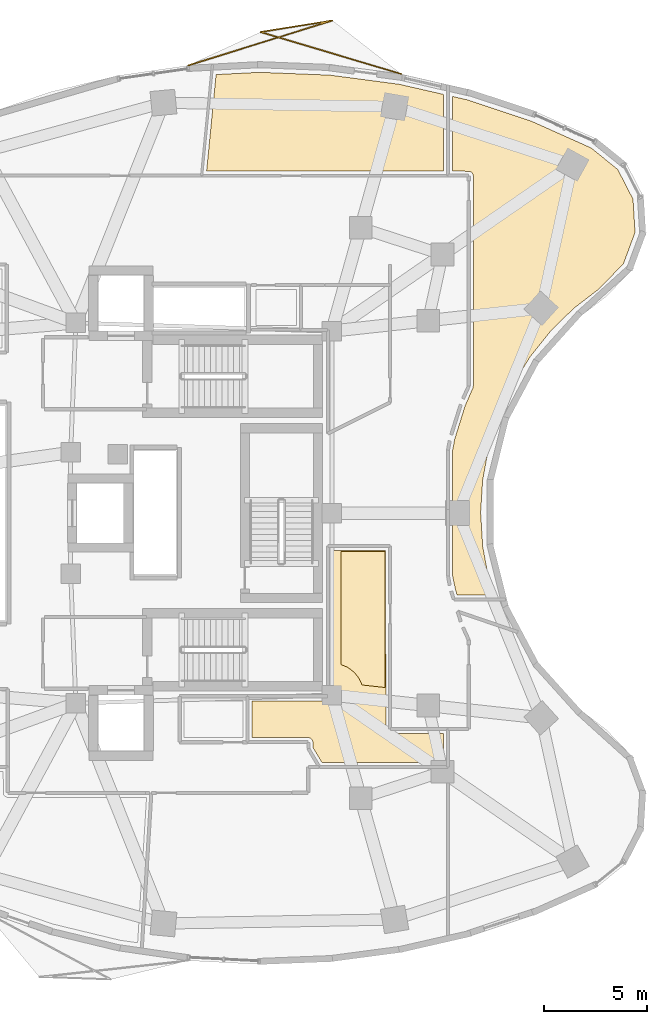
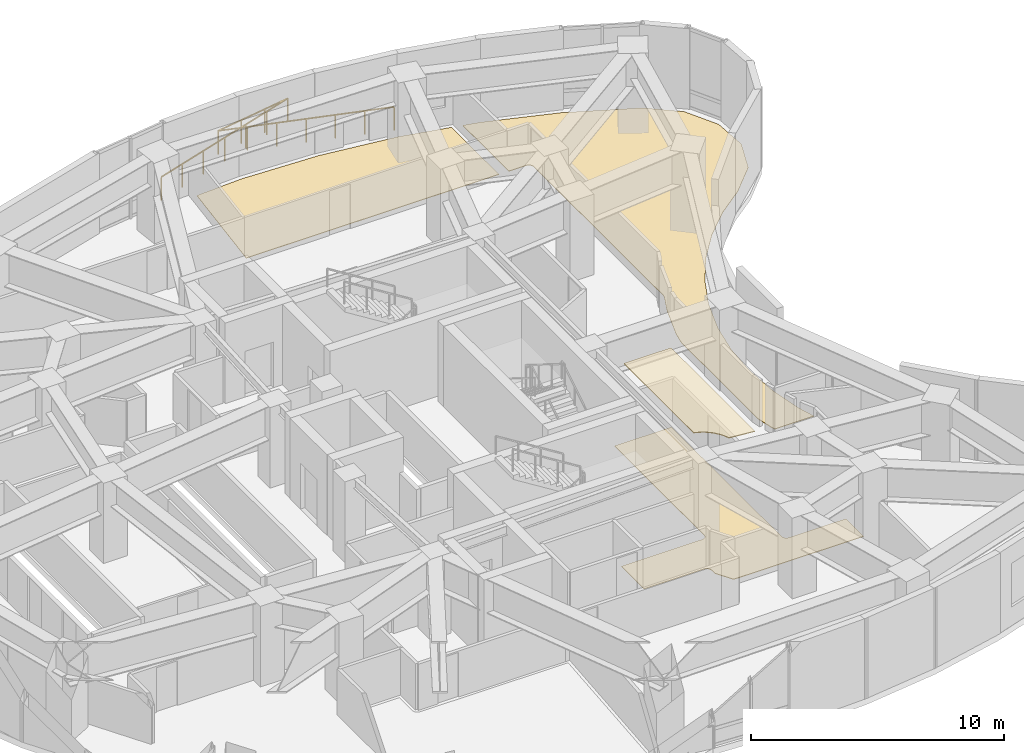
# One storey, part 13 of 13: 4 coverings, 1 railing.
"""IFC4 building model written with IfcOpenShell, lengths in metres."""

from ifc_helpers import new_model, si_unit, direction, frame, origin, origin_2d, place, context, subcontext, project, spatial, polyline, rectangle, outline, extrude, material, layer, layer_set, type_object, element, save


model = new_model("IFC4")

# Units and contexts
model_context = context("Model", 3, precision=1e-05, world=origin(), true_north=direction((0.0, 1.0)))
body_context = subcontext(model_context, "Body", "Model", "MODEL_VIEW")
ifc_project = project(units=[si_unit("LENGTHUNIT", "METRE"), si_unit("AREAUNIT", "SQUARE_METRE"), si_unit("VOLUMEUNIT", "CUBIC_METRE"), si_unit("PLANEANGLEUNIT", "RADIAN"), si_unit("MASSUNIT", "GRAM", prefix="KILO")], contexts=[model_context])

# Site, building, storey
site_placement = place(None, origin())
site = spatial("IfcSite", under=ifc_project, at=site_placement, CompositionType="ELEMENT")
building_placement = place(site_placement, origin())
building = spatial("IfcBuilding", under=site, at=building_placement, Name="Korentha Bioscience Tower", CompositionType="ELEMENT")
storey_placement = place(building_placement, frame((0.0, 0.0, 144.60009765625)))
storey = spatial("IfcBuildingStorey", under=building, at=storey_placement, Name="L33", CompositionType="ELEMENT", Elevation=144.60009765625)

# Coverings
ifc_material_1 = material(Name="Honed Travertine Limestone", Category="masonry")
ifc_layer_1 = layer(ifc_material_1, 0.02490234375, Name="Honed Travertine Limestone")
ifc_layer_set_1 = layer_set([ifc_layer_1], Name="Honed Travertine Limestone (FL-STN)")
covering_type_1 = type_object("IfcCoveringType", Name="Honed Travertine Lobby Stone Flooring 25", PredefinedType="FLOORING", material=ifc_layer_set_1)
covering_1_placement = place(storey_placement, origin())
element("IfcCovering", 1, at=covering_1_placement, inside=storey, type_object=covering_type_1, Name="L33 Sky-Lobby Passenger Transfer Concourse 05 Floor Finish", PredefinedType="FLOORING", context=body_context, shape_type="SweptSolid", body=[
    extrude(outline(polyline([(36.6298828125, 15.608154296875), (36.629638671875, 15.86181640625), (36.608154296875, 15.947998046875), (36.537353515625, 16.034423828125), (36.43408203125, 16.077392578125), (33.679931640625, 16.080078125), (33.679931640625, 17.8701171875), (37.35009765625, 17.8701171875), (37.447998046875, 17.891845703125), (37.520751953125, 17.94580078125), (37.56640625, 18.022216796875), (37.580078125, 18.10009765625), (37.580078125, 25.169921875), (40.169921875, 25.169921875), (40.177001953125, 16.443603515625), (40.245849609375, 16.329345703125), (40.302001953125, 16.2919921875), (40.38818359375, 16.270263671875), (42.97802734375, 16.27001953125), (42.97802734375, 14.8779296875), (37.06591796875, 14.8779296875), (36.6298828125, 15.608154296875)])), origin(), (0.0, 0.0, 1.0), 0.02490234375),
])
covering_2_placement = place(storey_placement, origin())
element("IfcCovering", 2, at=covering_2_placement, inside=storey, type_object=covering_type_1, Name="L33 Barista Coffee & Tea Bar 07 Floor Finish", PredefinedType="FLOORING", context=body_context, shape_type="SweptSolid", body=[
    extrude(outline(polyline([(43.422119140625, 30.0419921875), (43.534912109375, 30.620849609375), (44.03271484375, 32.212646484375), (44.413818359375, 33.09033203125), (44.429931640625, 33.175048828125), (44.4296875, 43.411865234375), (44.41650390625, 43.477783203125), (44.37060546875, 43.55419921875), (44.25537109375, 43.623291015625), (43.422119140625, 43.6298828125), (43.422119140625, 47.26220703125), (44.1171875, 47.103515625), (47.25439453125, 46.060546875), (50.164794921875, 44.757568359375), (51.4580078125, 43.7109375), (52.200439453125, 42.26806640625), (52.29833984375, 40.6484375), (51.734619140625, 39.126708984375), (50.556396484375, 37.9111328125), (49.31884765625, 36.958251953125), (48.20166015625, 35.861083984375), (47.191650390625, 34.596923828125), (46.343017578125, 33.21728515625), (45.6728515625, 31.751953125), (45.173828125, 30.165283203125), (44.885009765625, 28.592529296875), (44.78857421875, 27.0244140625), (44.89013671875, 25.36572265625), (45.17578125, 23.824462890625), (45.426025390625, 23.022216796875), (43.6435546875, 23.02197265625), (43.568603515625, 23.259521484375), (43.422119140625, 23.9580078125), (43.422119140625, 30.0419921875)])), origin(), (0.0, 0.0, 1.0), 0.02490234375),
])
covering_3_placement = place(storey_placement, origin())
element("IfcCovering", 3, at=covering_3_placement, inside=storey, type_object=covering_type_1, Name="L33 Interdisciplinary Collaboration Studio 09 Floor Finish", PredefinedType="FLOORING", context=body_context, shape_type="SweptSolid", body=[
    extrude(outline(polyline([(34.030517578125, 48.436767578125), (37.456298828125, 48.300537109375), (40.835205078125, 47.85400390625), (42.971923828125, 47.365234375), (42.971923828125, 43.6298828125), (31.46142578125, 43.6298828125), (31.922119140625, 48.328125), (34.030517578125, 48.436767578125)])), origin(), (0.0, 0.0, 1.0), 0.02490234375),
])

# Railing
ifc_material_2 = material(Name="Laminated Tempered Safety Glass", Category="glass")
railing_type = type_object("IfcRailingType", Name="Laminated Glass Balcony Guardrail 1150", PredefinedType="BALUSTRADE", material=ifc_material_2)
railing_placement = place(storey_placement, frame((40.925537109375, 48.3564453125, 0.0)))
element("IfcRailing", 4, at=railing_placement, inside=storey, type_object=railing_type, Name="L33 Balcony Guardrail 01", PredefinedType="BALUSTRADE", context=body_context, shape_type="SweptSolid", body=[
    extrude(rectangle(XDim=0.048095703125, YDim=0.048095703125, at=origin_2d()), frame((0.0, 0.0, 1.1259765625), z_axis=(-0.958299428434, 0.285765997736, 0.0), x_axis=(-0.285765997736, -0.958299428434, 0.0)), (0.0, 0.0, 1.0), 7.137939453125),
    extrude(rectangle(XDim=0.048095703125, YDim=0.048095703125, at=origin_2d()), frame((-6.84033203125, 2.039794921875, 1.1259765625), z_axis=(0.987385992889, 0.158331617329, 0.0), x_axis=(-0.158331617329, 0.987385992889, 0.0)), (0.0, 0.0, 1.0), 3.544921875),
    extrude(rectangle(XDim=0.048095703125, YDim=0.048095703125, at=origin_2d()), frame((-3.340087890625, 2.60107421875, 1.1259765625), z_axis=(-0.954750497561, -0.297407947786, 0.0), x_axis=(0.297407947786, -0.954750497561, 0.0)), (0.0, 0.0, 1.0), 7.360107421875),
    extrude(rectangle(XDim=0.0419921875, YDim=0.0419921875, at=origin_2d()), origin(), (0.0, 0.0, 1.0), 1.101806640625),
    extrude(rectangle(XDim=0.0419921875, YDim=0.0419921875, at=origin_2d()), frame((-1.14013671875, 0.33984375, 0.0)), (0.0, 0.0, 1.0), 1.101806640625),
    extrude(rectangle(XDim=0.0419921875, YDim=0.0419921875, at=origin_2d()), frame((-2.280029296875, 0.679931640625, 0.0)), (0.0, 0.0, 1.0), 1.101806640625),
    extrude(rectangle(XDim=0.0419921875, YDim=0.0419921875, at=origin_2d()), frame((-3.420166015625, 1.02001953125, 0.0)), (0.0, 0.0, 1.0), 1.101806640625),
    extrude(rectangle(XDim=0.0419921875, YDim=0.0419921875, at=origin_2d()), frame((-4.560302734375, 1.35986328125, 0.0)), (0.0, 0.0, 1.0), 1.101806640625),
    extrude(rectangle(XDim=0.0419921875, YDim=0.0419921875, at=origin_2d()), frame((-5.7001953125, 1.69970703125, 0.0)), (0.0, 0.0, 1.0), 1.101806640625),
    extrude(rectangle(XDim=0.0419921875, YDim=0.0419921875, at=origin_2d()), frame((-6.84033203125, 2.039794921875, 0.0)), (0.0, 0.0, 1.0), 1.101806640625),
    extrude(rectangle(XDim=0.0419921875, YDim=0.0419921875, at=origin_2d()), frame((-5.673583984375, 2.226806640625, 0.0)), (0.0, 0.0, 1.0), 1.101806640625),
    extrude(rectangle(XDim=0.0419921875, YDim=0.0419921875, at=origin_2d()), frame((-4.5068359375, 2.4140625, 0.0)), (0.0, 0.0, 1.0), 1.101806640625),
    extrude(rectangle(XDim=0.0419921875, YDim=0.0419921875, at=origin_2d()), frame((-3.340087890625, 2.60107421875, 0.0)), (0.0, 0.0, 1.0), 1.101806640625),
    extrude(rectangle(XDim=0.0419921875, YDim=0.0419921875, at=origin_2d()), frame((-4.51123046875, 2.236328125, 0.0)), (0.0, 0.0, 1.0), 1.101806640625),
    extrude(rectangle(XDim=0.0419921875, YDim=0.0419921875, at=origin_2d()), frame((-5.682373046875, 1.871337890625, 0.0)), (0.0, 0.0, 1.0), 1.101806640625),
    extrude(rectangle(XDim=0.0419921875, YDim=0.0419921875, at=origin_2d()), frame((-6.853515625, 1.506591796875, 0.0)), (0.0, 0.0, 1.0), 1.101806640625),
    extrude(rectangle(XDim=0.0419921875, YDim=0.0419921875, at=origin_2d()), frame((-8.02490234375, 1.141845703125, 0.0)), (0.0, 0.0, 1.0), 1.101806640625),
    extrude(rectangle(XDim=0.0419921875, YDim=0.0419921875, at=origin_2d()), frame((-9.196044921875, 0.77685546875, 0.0)), (0.0, 0.0, 1.0), 1.101806640625),
    extrude(rectangle(XDim=0.0419921875, YDim=0.0419921875, at=origin_2d()), frame((-10.3671875, 0.412109375, 0.0)), (0.0, 0.0, 1.0), 1.101806640625),
])

# Covering
ifc_material_3 = material(Name="Antimicrobial Mineral Fibre Board", Category="gypsum")
ifc_layer_2 = layer(ifc_material_3, 0.034912109375, Name="Antimicrobial Mineral Fibre Board")
ifc_layer_set_2 = layer_set([ifc_layer_2], Name="Antimicrobial Mineral Fibre Board (CL-MF35)")
covering_type_2 = type_object("IfcCoveringType", Name="Mineral-Fibre Cleanroom Suspended Ceiling 35", PredefinedType="CEILING", material=ifc_layer_set_2)
covering_4_placement = place(storey_placement, frame((0.0, 0.0, 3.844970703125)))
element("IfcCovering", 5, at=covering_4_placement, inside=storey, type_object=covering_type_2, Name="L33 Sky-Lobby Passenger Transfer Concourse 05 Acoustic Ceiling", PredefinedType="CEILING", context=body_context, shape_type="SweptSolid", body=[
    extrude(outline(polyline([(40.139892578125, 18.5166015625), (39.019287109375, 18.638671875), (38.9169921875, 18.880615234375), (38.8388671875, 19.010986328125), (38.64599609375, 19.24609375), (38.4111328125, 19.438720703125), (38.28076171875, 19.51708984375), (37.989990234375, 19.6357421875), (37.989990234375, 25.139892578125), (40.139892578125, 25.139892578125), (40.139892578125, 18.5166015625)])), origin(), (0.0, 0.0, 1.0), 0.034912109375),
])

save(model, "model.ifc")
